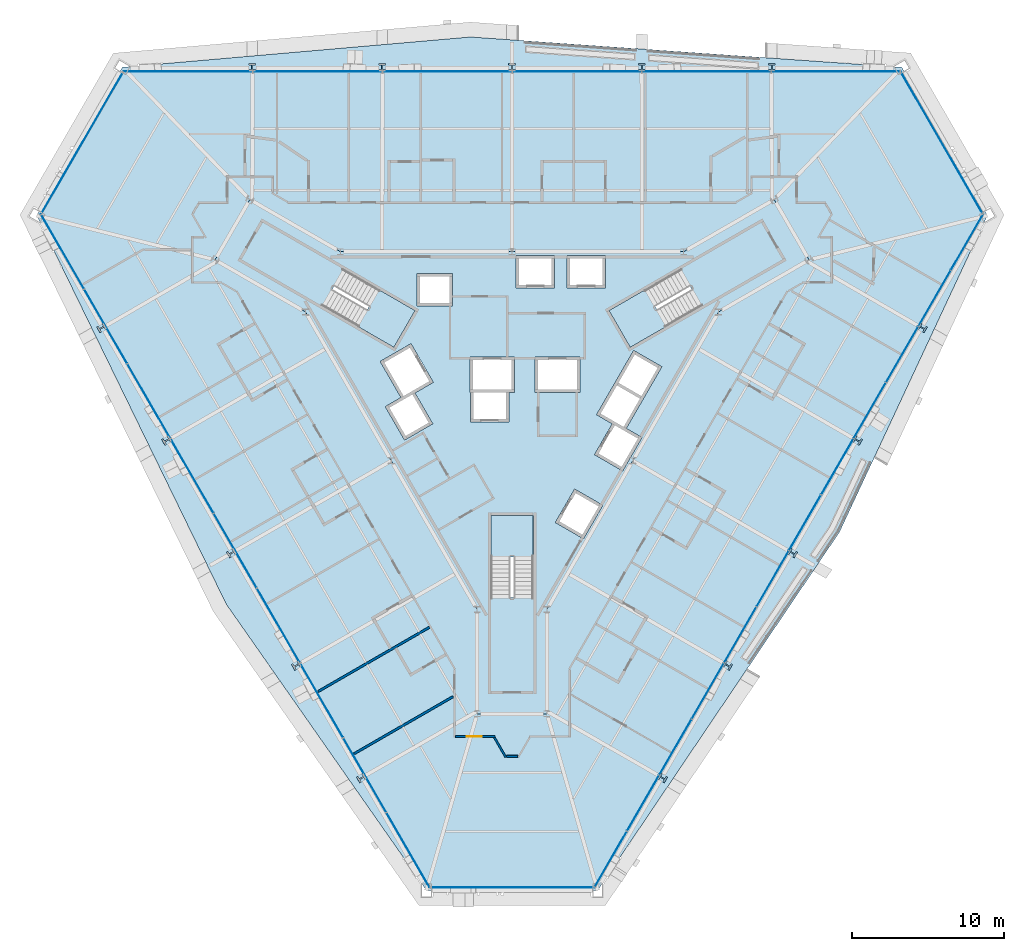
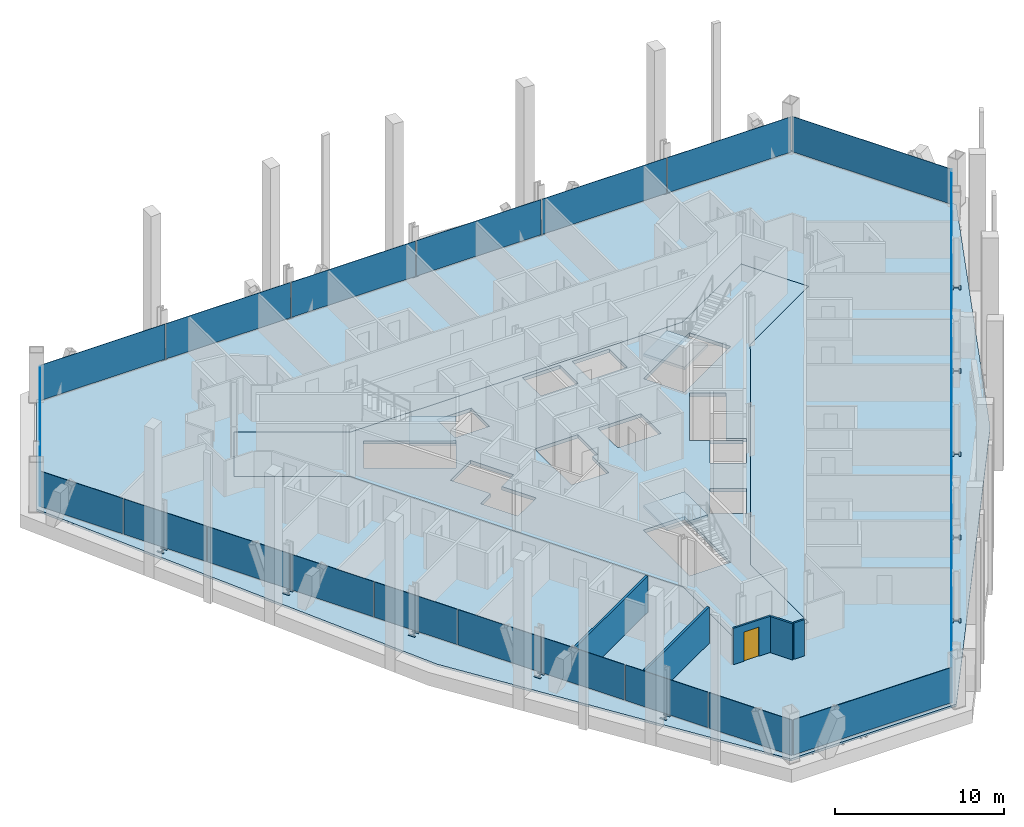
# One storey, part 12 of 21: 30 plates, 15 members, 5 slabs, 5 walls, 1 door, 1 opening, 9 elements without a shape of their own.
"""IFC4 building model written with IfcOpenShell, lengths in metres."""

from ifc_helpers import new_model, si_unit, direction, frame, frame_2d, origin, origin_2d, place, context, subcontext, project, spatial, polyline, rectangle, i_section, outline, extrude, material, layer, layer_set, material_profile, profile_set, type_object, element, fill, aggregate, save


model = new_model("IFC4")

# Units and contexts
model_context = context("Model", 3, precision=1e-05, world=origin(), true_north=direction((0.0, 1.0)))
body_context = subcontext(model_context, "Body", "Model", "MODEL_VIEW")
ifc_project = project(units=[si_unit("LENGTHUNIT", "METRE"), si_unit("AREAUNIT", "SQUARE_METRE"), si_unit("VOLUMEUNIT", "CUBIC_METRE"), si_unit("PLANEANGLEUNIT", "RADIAN"), si_unit("MASSUNIT", "GRAM", prefix="KILO")], contexts=[model_context])

# Site, building, storey
site_placement = place(None, origin())
site = spatial("IfcSite", under=ifc_project, at=site_placement, CompositionType="ELEMENT")
building_placement = place(site_placement, origin())
building = spatial("IfcBuilding", under=site, at=building_placement, Name="Verrane Prism Tower", CompositionType="ELEMENT")
storey_placement = place(building_placement, frame((0.0, 0.0, 65.60009765625)))
storey = spatial("IfcBuildingStorey", under=building, at=storey_placement, Name="L14", CompositionType="ELEMENT", Elevation=65.60009765625)

# Members
ifc_material_1 = material(Name="Steel A992", Category="steel")
ifc_material_profile = material_profile(ifc_material_1, i_section(OverallWidth=0.44189453125, OverallDepth=0.53076171875, WebThickness=0.06591796875, FlangeThickness=0.105712890625, FilletRadius=0.01513671875, at=origin_2d()), Name="W14x605")
ifc_profile_set = profile_set([ifc_material_profile], Name="Steel A992")
member_type = type_object("IfcMemberType", Name="Kink node W14x605", PredefinedType="COLLAR", material=ifc_profile_set)
for number, where, z_axis, x_axis, name in (
    (1, (17.149658203125, 21.368896484375, -0.025146484375), (0.0, 0.0, 1.0), (1.0, 0.0, 0.0), "Kink node PC2 L14"),
    (2, (8.56982421875, 21.368896484375, -0.025146484375), (0.0, 0.0, 1.0), (1.0, 0.0, 0.0), "Kink node PC2 L14"),
    (3, (0.0, 21.368896484375, -0.025146484375), (0.0, 0.0, 1.0), (1.0, 0.0, 0.0), "Kink node PC2 L14"),
    (4, (-8.56982421875, 21.368896484375, -0.025146484375), (0.0, 0.0, 1.0), (1.0, 0.0, 0.0), "Kink node PC2 L14"),
    (5, (-17.149658203125, 21.368896484375, -0.025146484375), (0.0, 0.0, 1.0), (1.0, 0.0, 0.0), "Kink node PC2 L14"),
    (6, (9.92919921875, -25.5390625, -0.025146484375), (0.0, 0.0, 1.0), (-0.5, -0.866025403784, 0.0), "Kink node PC2 L14"),
    (7, (14.21923828125, -18.109375, -0.025146484375), (0.0, 0.0, 1.0), (-0.5, -0.866025403784, 0.0), "Kink node PC2 L14"),
    (8, (18.509033203125, -10.689453125, -0.025146484375), (0.0, 0.0, 1.0), (-0.5, -0.866025403784, 0.0), "Kink node PC2 L14"),
    (9, (22.7890625, -3.259521484375, -0.025146484375), (0.0, 0.0, 1.0), (-0.5, -0.866025403784, 0.0), "Kink node PC2 L14"),
    (10, (27.078857421875, 4.170166015625, -0.025146484375), (0.0, 0.0, 1.0), (-0.5, -0.866025403784, 0.0), "Kink node PC2 L14"),
    (11, (-27.078857421875, 4.170166015625, -0.025146484375), (0.0, 0.0, 1.0), (-0.5, 0.866025403784, 0.0), "Kink node PC2 L14"),
    (12, (-22.7890625, -3.259521484375, -0.025146484375), (0.0, 0.0, 1.0), (-0.5, 0.866025403784, 0.0), "Kink node PC2 L14"),
    (13, (-18.509033203125, -10.689453125, -0.025146484375), (0.0, 0.0, 1.0), (-0.5, 0.866025403784, 0.0), "Kink node PC2 L14"),
    (14, (-14.21923828125, -18.109375, -0.025146484375), (0.0, 0.0, 1.0), (-0.5, 0.866025403784, 0.0), "Kink node PC2 L14"),
    (15, (-9.92919921875, -25.5390625, -0.025146484375), (0.0, 0.0, 1.0), (-0.5, 0.866025403784, 0.0), "Kink node PC2 L14"),
):
    element("IfcMember", number, at=place(storey_placement, frame(where, z_axis=z_axis, x_axis=x_axis)), inside=storey, type_object=member_type, Name=name, PredefinedType="COLLAR", context=body_context, shape_type="SweptSolid", body=[
        extrude(i_section(OverallWidth=0.44189453125, OverallDepth=0.53076171875, WebThickness=0.06591796875, FlangeThickness=0.105712890625, FilletRadius=0.01513671875, at=origin_2d()), origin(), (0.0, 0.0, 1.0), 0.050048828125),
    ])

# Slabs
ifc_material_2 = material(Name="Concrete C35/45", Category="concrete")
ifc_layer_1 = layer(ifc_material_2, 0.159912109375)
ifc_layer_set_1 = layer_set([ifc_layer_1], Name="Composite floor slab")
slab_type_1 = type_object("IfcSlabType", Name="Composite floor slab", PredefinedType="FLOOR", material=ifc_layer_set_1)
slab_1_placement = place(storey_placement, frame((0.0, 0.0, -0.16015625)))
element("IfcSlab", 16, at=slab_1_placement, inside=storey, type_object=slab_type_1, Name="Floor slab L14", PredefinedType="FLOOR", context=body_context, shape_type="SweptSolid", body=[
    extrude(outline(polyline([(21.61083984375, -9.308837890625), (5.64599609375, -32.960693359375), (-5.64599609375, -32.960693359375), (-18.8671875, -14.06103515625), (-31.367919921875, 11.5908203125), (-25.721923828125, 21.3701171875), (-2.74365234375, 23.3701171875), (25.721923828125, 21.3701171875), (31.367919921875, 11.5908203125), (21.61083984375, -9.308837890625)]), holes=[polyline([(19.60009765625, 8.659912109375), (17.300048828125, 12.639892578125), (11.330078125, 9.199951171875), (0.0, 9.199951171875), (-11.330078125, 9.199951171875), (-17.300048828125, 12.639892578125), (-19.60009765625, 8.659912109375), (-13.6298828125, 5.219970703125), (-7.969970703125, -4.60009765625), (-2.300048828125, -14.419921875), (-2.300048828125, -21.300048828125), (2.300048828125, -21.300048828125), (2.300048828125, -14.419921875), (7.969970703125, -4.60009765625), (13.6298828125, 5.219970703125), (19.60009765625, 8.659912109375)])]), origin(), (0.0, 0.0, 1.0), 0.16015625),
])
ifc_material_3 = material(Name="Concrete C40/50", Category="concrete")
ifc_layer_2 = layer(ifc_material_3, 0.25)
ifc_layer_set_2 = layer_set([ifc_layer_2], Name="Core floor slab 250 concrete C40/50")
slab_type_2 = type_object("IfcSlabType", Name="Core floor slab 250 concrete C40/50", PredefinedType="FLOOR", material=ifc_layer_set_2)
slab_2_placement = place(storey_placement, frame((0.0, 0.0, -0.25)))
element("IfcSlab", 17, at=slab_2_placement, inside=storey, type_object=slab_type_2, Name="Core floor L14", PredefinedType="FLOOR", context=body_context, shape_type="SweptSolid", body=[
    extrude(outline(polyline([(13.6298828125, 5.219970703125), (19.60009765625, 8.659912109375), (17.300048828125, 12.639892578125), (11.330078125, 9.199951171875), (0.0, 9.199951171875), (-11.330078125, 9.199951171875), (-17.300048828125, 12.639892578125), (-19.60009765625, 8.659912109375), (-13.6298828125, 5.219970703125), (-7.969970703125, -4.60009765625), (-2.300048828125, -14.419921875), (-2.300048828125, -21.300048828125), (2.300048828125, -21.300048828125), (2.300048828125, -14.419921875), (7.969970703125, -4.60009765625), (13.6298828125, 5.219970703125)]), holes=[polyline([(1.39990234375, -8.199951171875), (1.39990234375, -13.639892578125), (-1.39990234375, -13.639892578125), (-1.39990234375, -8.199951171875), (1.39990234375, -8.199951171875)]), polyline([(0.1650390625, 2.25), (0.1650390625, -0.10009765625), (-0.205078125, -0.10009765625), (-0.205078125, -2.050048828125), (-2.7548828125, -2.050048828125), (-2.7548828125, -0.10009765625), (-2.784912109375, -0.10009765625), (-2.784912109375, 2.25), (0.1650390625, 2.25)]), polyline([(-7.801025390625, 2.887939453125), (-12.512939453125, 5.60791015625), (-11.113037109375, 8.031982421875), (-6.40087890625, 5.31201171875), (-7.801025390625, 2.887939453125)]), polyline([(-6.284912109375, 5.610107421875), (-6.284912109375, 7.760009765625), (-3.93505859375, 7.760009765625), (-3.93505859375, 5.610107421875), (-6.284912109375, 5.610107421875)]), polyline([(2.81494140625, 6.81005859375), (0.264892578125, 6.81005859375), (0.264892578125, 8.9599609375), (2.81494140625, 8.9599609375), (2.81494140625, 6.81005859375)]), polyline([(4.717041015625, -9.75), (2.85498046875, -8.675048828125), (4.1298828125, -6.466064453125), (5.991943359375, -7.541015625), (4.717041015625, -9.75)]), polyline([(8.303955078125, -3.136962890625), (5.575927734375, -1.56201171875), (8.02587890625, 2.680908203125), (9.887939453125, 1.60595703125), (7.5380859375, -2.464111328125), (8.576904296875, -3.06396484375), (7.302001953125, -5.27197265625), (5.43994140625, -4.197021484375), (6.614990234375, -2.162109375), (8.303955078125, -3.136962890625)]), polyline([(1.52490234375, -0.10009765625), (1.52490234375, 2.25), (4.47509765625, 2.25), (4.47509765625, -0.10009765625), (1.52490234375, -0.10009765625)]), polyline([(11.113037109375, 8.031982421875), (12.512939453125, 5.60791015625), (7.801025390625, 2.887939453125), (6.40087890625, 5.31201171875), (11.113037109375, 8.031982421875)]), polyline([(3.625, 6.81005859375), (3.625, 8.9599609375), (6.175048828125, 8.9599609375), (6.175048828125, 6.81005859375), (3.625, 6.81005859375)]), polyline([(-5.23095703125, -2.159912109375), (-7.093017578125, -3.235107421875), (-8.367919921875, -1.02587890625), (-7.3291015625, -0.426025390625), (-8.7041015625, 1.955078125), (-6.66796875, 3.1298828125), (-5.193115234375, 0.574951171875), (-6.406005859375, -0.125), (-5.23095703125, -2.159912109375)])]), origin(), (0.0, 0.0, 1.0), 0.25),
])

# Curtain wall, plates
ifc_material_4 = material(Name="Aluminium framed insulated glazing", Category="aluminium")
curtain_wall_type_1 = type_object("IfcCurtainWallType", Name="Curtain wall CW-C 4200 module", PredefinedType="NOTDEFINED", material=ifc_material_4)
curtain_wall_1_placement = place(storey_placement, origin())
curtain_wall_1 = element("IfcCurtainWall", 18, at=curtain_wall_1_placement, inside=storey, type_object=curtain_wall_type_1, Name="Glazed curtain wall south-east face L14", PredefinedType="NOTDEFINED")
ifc_material_5 = material(Name="Low-iron insulating glass unit", Category="glass")
ifc_layer_3 = layer(ifc_material_5, 0.02392578125)
ifc_layer_set_3 = layer_set([ifc_layer_3], Name="Glazing panel IGU 24")
plate_type_1 = type_object("IfcPlateType", Name="Glazing panel IGU 24", PredefinedType="CURTAIN_PANEL", material=ifc_layer_set_3)
plate_1_placement = place(storey_placement, frame((6.515869140625, -30.896240234375, 0.0498046875), z_axis=(0.0, 0.0, 1.0), x_axis=(0.50000020895, 0.866025283147, 0.0)))
plate_1 = element("IfcPlate", 19, at=plate_1_placement, type_object=plate_type_1, Name="CW14.6 panel 1", PredefinedType="CURTAIN_PANEL", context=body_context, shape_type="SweptSolid", body=[
    extrude(rectangle(XDim=4.19970703125, YDim=0.02392578125, at=origin_2d()), origin(), (0.0, 0.0, 1.0), 2.56298828125),
])
plate_2_placement = place(storey_placement, frame((8.64697265625, -27.204833984375, 0.0498046875), z_axis=(0.0, 0.0, 1.0), x_axis=(0.50000020895, 0.866025283147, 0.0)))
plate_2 = element("IfcPlate", 20, at=plate_2_placement, type_object=plate_type_1, Name="CW14.6 panel 2", PredefinedType="CURTAIN_PANEL", context=body_context, shape_type="SweptSolid", body=[
    extrude(rectangle(XDim=4.224853515625, YDim=0.02392578125, at=origin_2d()), origin(), (0.0, 0.0, 1.0), 2.56298828125),
])
plate_3_placement = place(storey_placement, frame((10.784423828125, -23.502685546875, 0.0498046875), z_axis=(0.0, 0.0, 1.0), x_axis=(0.50000020895, 0.866025283147, 0.0)))
plate_3 = element("IfcPlate", 21, at=plate_3_placement, type_object=plate_type_1, Name="CW14.6 panel 3", PredefinedType="CURTAIN_PANEL", context=body_context, shape_type="SweptSolid", body=[
    extrude(rectangle(XDim=4.224853515625, YDim=0.02392578125, at=origin_2d()), origin(), (0.0, 0.0, 1.0), 2.56298828125),
])
plate_4_placement = place(storey_placement, frame((12.921875, -19.80078125, 0.0498046875), z_axis=(0.0, 0.0, 1.0), x_axis=(0.50000020895, 0.866025283147, 0.0)))
plate_4 = element("IfcPlate", 22, at=plate_4_placement, type_object=plate_type_1, Name="CW14.6 panel 4", PredefinedType="CURTAIN_PANEL", context=body_context, shape_type="SweptSolid", body=[
    extrude(rectangle(XDim=4.224853515625, YDim=0.02392578125, at=origin_2d()), origin(), (0.0, 0.0, 1.0), 2.56298828125),
])
plate_5_placement = place(storey_placement, frame((15.05908203125, -16.0986328125, 0.0498046875), z_axis=(0.0, 0.0, 1.0), x_axis=(0.50000020895, 0.866025283147, 0.0)))
plate_5 = element("IfcPlate", 23, at=plate_5_placement, type_object=plate_type_1, Name="CW14.6 panel 5", PredefinedType="CURTAIN_PANEL", context=body_context, shape_type="SweptSolid", body=[
    extrude(rectangle(XDim=4.224853515625, YDim=0.02392578125, at=origin_2d()), origin(), (0.0, 0.0, 1.0), 2.56298828125),
])
plate_6_placement = place(storey_placement, frame((17.196533203125, -12.396484375, 0.0498046875), z_axis=(0.0, 0.0, 1.0), x_axis=(0.50000020895, 0.866025283147, 0.0)))
plate_6 = element("IfcPlate", 24, at=plate_6_placement, type_object=plate_type_1, Name="CW14.6 panel 6", PredefinedType="CURTAIN_PANEL", context=body_context, shape_type="SweptSolid", body=[
    extrude(rectangle(XDim=4.224853515625, YDim=0.02392578125, at=origin_2d()), origin(), (0.0, 0.0, 1.0), 2.56298828125),
])
plate_7_placement = place(storey_placement, frame((19.333984375, -8.694580078125, 0.0498046875), z_axis=(0.0, 0.0, 1.0), x_axis=(0.50000020895, 0.866025283147, 0.0)))
plate_7 = element("IfcPlate", 25, at=plate_7_placement, type_object=plate_type_1, Name="CW14.6 panel 7", PredefinedType="CURTAIN_PANEL", context=body_context, shape_type="SweptSolid", body=[
    extrude(rectangle(XDim=4.224853515625, YDim=0.02392578125, at=origin_2d()), origin(), (0.0, 0.0, 1.0), 2.56298828125),
])
plate_8_placement = place(storey_placement, frame((21.471435546875, -4.992431640625, 0.0498046875), z_axis=(0.0, 0.0, 1.0), x_axis=(0.50000020895, 0.866025283147, 0.0)))
plate_8 = element("IfcPlate", 26, at=plate_8_placement, type_object=plate_type_1, Name="CW14.6 panel 8", PredefinedType="CURTAIN_PANEL", context=body_context, shape_type="SweptSolid", body=[
    extrude(rectangle(XDim=4.224853515625, YDim=0.02392578125, at=origin_2d()), origin(), (0.0, 0.0, 1.0), 2.56298828125),
])
plate_9_placement = place(storey_placement, frame((23.60888671875, -1.290283203125, 0.0498046875), z_axis=(0.0, 0.0, 1.0), x_axis=(0.50000020895, 0.866025283147, 0.0)))
plate_9 = element("IfcPlate", 27, at=plate_9_placement, type_object=plate_type_1, Name="CW14.6 panel 9", PredefinedType="CURTAIN_PANEL", context=body_context, shape_type="SweptSolid", body=[
    extrude(rectangle(XDim=4.224853515625, YDim=0.02392578125, at=origin_2d()), origin(), (0.0, 0.0, 1.0), 2.56298828125),
])
plate_10_placement = place(storey_placement, frame((25.74609375, 2.411865234375, 0.0498046875), z_axis=(0.0, 0.0, 1.0), x_axis=(0.50000020895, 0.866025283147, 0.0)))
plate_10 = element("IfcPlate", 28, at=plate_10_placement, type_object=plate_type_1, Name="CW14.6 panel 10", PredefinedType="CURTAIN_PANEL", context=body_context, shape_type="SweptSolid", body=[
    extrude(rectangle(XDim=4.224853515625, YDim=0.02392578125, at=origin_2d()), origin(), (0.0, 0.0, 1.0), 2.56298828125),
])
plate_11_placement = place(storey_placement, frame((27.883544921875, 6.11376953125, 0.0498046875), z_axis=(0.0, 0.0, 1.0), x_axis=(0.50000020895, 0.866025283147, 0.0)))
plate_11 = element("IfcPlate", 29, at=plate_11_placement, type_object=plate_type_1, Name="CW14.6 panel 11", PredefinedType="CURTAIN_PANEL", context=body_context, shape_type="SweptSolid", body=[
    extrude(rectangle(XDim=4.224853515625, YDim=0.02392578125, at=origin_2d()), origin(), (0.0, 0.0, 1.0), 2.56298828125),
])
plate_12_placement = place(storey_placement, frame((30.02734375, 9.826904296875, 0.0498046875), z_axis=(0.0, 0.0, 1.0), x_axis=(0.50000020895, 0.866025283147, 0.0)))
plate_12 = element("IfcPlate", 30, at=plate_12_placement, type_object=plate_type_1, Name="CW14.6 panel 12", PredefinedType="CURTAIN_PANEL", context=body_context, shape_type="SweptSolid", body=[
    extrude(rectangle(XDim=4.249755859375, YDim=0.02392578125, at=origin_2d()), origin(), (0.0, 0.0, 1.0), 2.56298828125),
])
aggregate(curtain_wall_1, [plate_1, plate_2, plate_3, plate_4, plate_5, plate_6, plate_7, plate_8, plate_9, plate_10, plate_11, plate_12])

ifc_material_6 = material(Name="Aluminium framed insulated glazing", Category="aluminium")
curtain_wall_type_2 = type_object("IfcCurtainWallType", Name="Curtain wall CW-B 5600 module", PredefinedType="NOTDEFINED", material=ifc_material_6)
curtain_wall_2_placement = place(storey_placement, origin())
curtain_wall_2 = element("IfcCurtainWall", 31, at=curtain_wall_2_placement, inside=storey, type_object=curtain_wall_type_2, Name="Glazed curtain wall south-west face L14", PredefinedType="NOTDEFINED")
ifc_material_7 = material(Name="Low-iron insulating glass unit", Category="glass")
ifc_layer_4 = layer(ifc_material_7, 0.028076171875)
ifc_layer_set_4 = layer_set([ifc_layer_4], Name="Glazing panel IGU 28")
plate_type_2 = type_object("IfcPlateType", Name="Glazing panel IGU 28", PredefinedType="CURTAIN_PANEL", material=ifc_layer_set_4)
plate_13_placement = place(storey_placement, frame((-29.6572265625, 9.18603515625, 0.06005859375), z_axis=(0.0, 0.0, 1.0), x_axis=(0.50000020895, -0.866025283147, 0.0)))
plate_13 = element("IfcPlate", 32, at=plate_13_placement, type_object=plate_type_2, Name="CW14.4 panel 1", PredefinedType="CURTAIN_PANEL", context=body_context, shape_type="SweptSolid", body=[
    extrude(rectangle(XDim=5.609619140625, YDim=0.028076171875, at=origin_2d()), origin(), (0.0, 0.0, 1.0), 2.552978515625),
])
plate_14_placement = place(storey_placement, frame((-26.81494140625, 4.262939453125, 0.06005859375), z_axis=(0.0, 0.0, 1.0), x_axis=(0.50000020895, -0.866025283147, 0.0)))
plate_14 = element("IfcPlate", 33, at=plate_14_placement, type_object=plate_type_2, Name="CW14.4 panel 2", PredefinedType="CURTAIN_PANEL", context=body_context, shape_type="SweptSolid", body=[
    extrude(rectangle(XDim=5.6396484375, YDim=0.028076171875, at=origin_2d()), origin(), (0.0, 0.0, 1.0), 2.552978515625),
])
plate_15_placement = place(storey_placement, frame((-23.965087890625, -0.67333984375, 0.06005859375), z_axis=(0.0, 0.0, 1.0), x_axis=(0.50000020895, -0.866025283147, 0.0)))
plate_15 = element("IfcPlate", 34, at=plate_15_placement, type_object=plate_type_2, Name="CW14.4 panel 3", PredefinedType="CURTAIN_PANEL", context=body_context, shape_type="SweptSolid", body=[
    extrude(rectangle(XDim=5.6396484375, YDim=0.028076171875, at=origin_2d()), origin(), (0.0, 0.0, 1.0), 2.552978515625),
])
plate_16_placement = place(storey_placement, frame((-21.115234375, -5.609375, 0.06005859375), z_axis=(0.0, 0.0, 1.0), x_axis=(0.50000020895, -0.866025283147, 0.0)))
plate_16 = element("IfcPlate", 35, at=plate_16_placement, type_object=plate_type_2, Name="CW14.4 panel 4", PredefinedType="CURTAIN_PANEL", context=body_context, shape_type="SweptSolid", body=[
    extrude(rectangle(XDim=5.6396484375, YDim=0.028076171875, at=origin_2d()), origin(), (0.0, 0.0, 1.0), 2.552978515625),
])
plate_17_placement = place(storey_placement, frame((-18.265380859375, -10.54541015625, 0.06005859375), z_axis=(0.0, 0.0, 1.0), x_axis=(0.50000020895, -0.866025283147, 0.0)))
plate_17 = element("IfcPlate", 36, at=plate_17_placement, type_object=plate_type_2, Name="CW14.4 panel 5", PredefinedType="CURTAIN_PANEL", context=body_context, shape_type="SweptSolid", body=[
    extrude(rectangle(XDim=5.6396484375, YDim=0.028076171875, at=origin_2d()), origin(), (0.0, 0.0, 1.0), 2.552978515625),
])
plate_18_placement = place(storey_placement, frame((-15.41552734375, -15.481689453125, 0.06005859375), z_axis=(0.0, 0.0, 1.0), x_axis=(0.50000020895, -0.866025283147, 0.0)))
plate_18 = element("IfcPlate", 37, at=plate_18_placement, type_object=plate_type_2, Name="CW14.4 panel 6", PredefinedType="CURTAIN_PANEL", context=body_context, shape_type="SweptSolid", body=[
    extrude(rectangle(XDim=5.6396484375, YDim=0.028076171875, at=origin_2d()), origin(), (0.0, 0.0, 1.0), 2.552978515625),
])
plate_19_placement = place(storey_placement, frame((-12.565673828125, -20.417724609375, 0.06005859375), z_axis=(0.0, 0.0, 1.0), x_axis=(0.50000020895, -0.866025283147, 0.0)))
plate_19 = element("IfcPlate", 38, at=plate_19_placement, type_object=plate_type_2, Name="CW14.4 panel 7", PredefinedType="CURTAIN_PANEL", context=body_context, shape_type="SweptSolid", body=[
    extrude(rectangle(XDim=5.6396484375, YDim=0.028076171875, at=origin_2d()), origin(), (0.0, 0.0, 1.0), 2.552978515625),
])
plate_20_placement = place(storey_placement, frame((-9.7158203125, -25.353759765625, 0.06005859375), z_axis=(0.0, 0.0, 1.0), x_axis=(0.50000020895, -0.866025283147, 0.0)))
plate_20 = element("IfcPlate", 39, at=plate_20_placement, type_object=plate_type_2, Name="CW14.4 panel 8", PredefinedType="CURTAIN_PANEL", context=body_context, shape_type="SweptSolid", body=[
    extrude(rectangle(XDim=5.6396484375, YDim=0.028076171875, at=origin_2d()), origin(), (0.0, 0.0, 1.0), 2.552978515625),
])
plate_21_placement = place(storey_placement, frame((-6.8583984375, -30.302978515625, 0.06005859375), z_axis=(0.0, 0.0, 1.0), x_axis=(0.50000020895, -0.866025283147, 0.0)))
plate_21 = element("IfcPlate", 40, at=plate_21_placement, type_object=plate_type_2, Name="CW14.4 panel 9", PredefinedType="CURTAIN_PANEL", context=body_context, shape_type="SweptSolid", body=[
    extrude(rectangle(XDim=5.669677734375, YDim=0.028076171875, at=origin_2d()), origin(), (0.0, 0.0, 1.0), 2.552978515625),
])
aggregate(curtain_wall_2, [plate_13, plate_14, plate_15, plate_16, plate_17, plate_18, plate_19, plate_20, plate_21])

# Curtain wall, plate
ifc_material_8 = material(Name="Aluminium framed insulated glazing", Category="aluminium")
curtain_wall_type_3 = type_object("IfcCurtainWallType", Name="Curtain wall CW-A 8400 module", PredefinedType="NOTDEFINED", material=ifc_material_8)
curtain_wall_3_placement = place(storey_placement, origin())
curtain_wall_3 = element("IfcCurtainWall", 41, at=curtain_wall_3_placement, inside=storey, type_object=curtain_wall_type_3, Name="Glazed curtain wall north-east corner L14", PredefinedType="NOTDEFINED")
ifc_material_9 = material(Name="Low-iron insulating glass unit", Category="glass")
ifc_layer_5 = layer(ifc_material_9, 0.031982421875)
ifc_layer_set_5 = layer_set([ifc_layer_5], Name="Glazing panel IGU 32")
plate_type_3 = type_object("IfcPlateType", Name="Glazing panel IGU 32", PredefinedType="CURTAIN_PANEL", material=ifc_layer_set_5)
plate_22_placement = place(storey_placement, frame((28.351806640625, 16.409423828125, 0.06982421875), z_axis=(0.0, 0.0, 1.0), x_axis=(-0.499996627176, 0.866027351077, 0.0)))
plate_22 = element("IfcPlate", 42, at=plate_22_placement, type_object=plate_type_3, Name="CW14.1 panel 1", PredefinedType="CURTAIN_PANEL", context=body_context, shape_type="SweptSolid", body=[
    extrude(rectangle(XDim=10.811767578125, YDim=0.031982421875, at=origin_2d()), origin(), (0.0, 0.0, 1.0), 2.54296875),
])
aggregate(curtain_wall_3, [plate_22])

# Curtain wall, plates
curtain_wall_4_placement = place(storey_placement, origin())
curtain_wall_4 = element("IfcCurtainWall", 43, at=curtain_wall_4_placement, inside=storey, type_object=curtain_wall_type_3, Name="Glazed curtain wall north face L14", PredefinedType="NOTDEFINED")
plate_23_placement = place(storey_placement, frame((21.3564453125, 21.091064453125, 0.06982421875), z_axis=(0.0, 0.0, 1.0), x_axis=(-1.0, 0.0, 0.0)))
plate_23 = element("IfcPlate", 44, at=plate_23_placement, type_object=plate_type_3, Name="CW14.2 panel 1", PredefinedType="CURTAIN_PANEL", context=body_context, shape_type="SweptSolid", body=[
    extrude(rectangle(XDim=8.444580078125, YDim=0.031982421875, at=origin_2d()), origin(), (0.0, 0.0, 1.0), 2.54296875),
])
plate_24_placement = place(storey_placement, frame((12.824462890625, 21.091064453125, 0.06982421875), z_axis=(0.0, 0.0, 1.0), x_axis=(-1.0, 0.0, 0.0)))
plate_24 = element("IfcPlate", 45, at=plate_24_placement, type_object=plate_type_3, Name="CW14.2 panel 2", PredefinedType="CURTAIN_PANEL", context=body_context, shape_type="SweptSolid", body=[
    extrude(rectangle(XDim=8.4794921875, YDim=0.031982421875, at=origin_2d()), origin(), (0.0, 0.0, 1.0), 2.54296875),
])
plate_25_placement = place(storey_placement, frame((4.27490234375, 21.091064453125, 0.06982421875), z_axis=(0.0, 0.0, 1.0), x_axis=(-1.0, 0.0, 0.0)))
plate_25 = element("IfcPlate", 46, at=plate_25_placement, type_object=plate_type_3, Name="CW14.2 panel 3", PredefinedType="CURTAIN_PANEL", context=body_context, shape_type="SweptSolid", body=[
    extrude(rectangle(XDim=8.4794921875, YDim=0.031982421875, at=origin_2d()), origin(), (0.0, 0.0, 1.0), 2.54296875),
])
plate_26_placement = place(storey_placement, frame((-4.27490234375, 21.091064453125, 0.06982421875), z_axis=(0.0, 0.0, 1.0), x_axis=(-1.0, 0.0, 0.0)))
plate_26 = element("IfcPlate", 47, at=plate_26_placement, type_object=plate_type_3, Name="CW14.2 panel 4", PredefinedType="CURTAIN_PANEL", context=body_context, shape_type="SweptSolid", body=[
    extrude(rectangle(XDim=8.4794921875, YDim=0.031982421875, at=origin_2d()), origin(), (0.0, 0.0, 1.0), 2.54296875),
])
plate_27_placement = place(storey_placement, frame((-12.824462890625, 21.091064453125, 0.06982421875), z_axis=(0.0, 0.0, 1.0), x_axis=(-1.0, 0.0, 0.0)))
plate_27 = element("IfcPlate", 48, at=plate_27_placement, type_object=plate_type_3, Name="CW14.2 panel 5", PredefinedType="CURTAIN_PANEL", context=body_context, shape_type="SweptSolid", body=[
    extrude(rectangle(XDim=8.4794921875, YDim=0.031982421875, at=origin_2d()), origin(), (0.0, 0.0, 1.0), 2.54296875),
])
plate_28_placement = place(storey_placement, frame((-21.3916015625, 21.091064453125, 0.06982421875), z_axis=(0.0, 0.0, 1.0), x_axis=(-1.0, 0.0, 0.0)))
plate_28 = element("IfcPlate", 49, at=plate_28_placement, type_object=plate_type_3, Name="CW14.2 panel 6", PredefinedType="CURTAIN_PANEL", context=body_context, shape_type="SweptSolid", body=[
    extrude(rectangle(XDim=8.5146484375, YDim=0.031982421875, at=origin_2d()), origin(), (0.0, 0.0, 1.0), 2.54296875),
])
aggregate(curtain_wall_4, [plate_23, plate_24, plate_25, plate_26, plate_27, plate_28])

# Curtain wall, plate
curtain_wall_5_placement = place(storey_placement, origin())
curtain_wall_5 = element("IfcCurtainWall", 50, at=curtain_wall_5_placement, inside=storey, type_object=curtain_wall_type_3, Name="Glazed curtain wall north-west corner L14", PredefinedType="NOTDEFINED")
plate_29_placement = place(storey_placement, frame((-28.38671875, 16.3486328125, 0.06982421875), z_axis=(0.0, 0.0, 1.0), x_axis=(-0.499996627176, -0.866027351077, 0.0)))
plate_29 = element("IfcPlate", 51, at=plate_29_placement, type_object=plate_type_3, Name="CW14.3 panel 1", PredefinedType="CURTAIN_PANEL", context=body_context, shape_type="SweptSolid", body=[
    extrude(rectangle(XDim=10.811767578125, YDim=0.031982421875, at=origin_2d()), origin(), (0.0, 0.0, 1.0), 2.54296875),
])
aggregate(curtain_wall_5, [plate_29])

curtain_wall_6_placement = place(storey_placement, origin())
curtain_wall_6 = element("IfcCurtainWall", 52, at=curtain_wall_6_placement, inside=storey, type_object=curtain_wall_type_3, Name="Glazed curtain wall south corner L14", PredefinedType="NOTDEFINED")
plate_30_placement = place(storey_placement, frame((0.034912109375, -32.758056640625, 0.06982421875), z_axis=(0.0, 0.0, 1.0), x_axis=(1.0, 0.0, 0.0)))
plate_30 = element("IfcPlate", 53, at=plate_30_placement, type_object=plate_type_3, Name="CW14.5 panel 1", PredefinedType="CURTAIN_PANEL", context=body_context, shape_type="SweptSolid", body=[
    extrude(rectangle(XDim=10.811767578125, YDim=0.031982421875, at=origin_2d()), origin(), (0.0, 0.0, 1.0), 2.54296875),
])
aggregate(curtain_wall_6, [plate_30])

# Stair, slab
ifc_material_10 = material(Name="Concrete C40/50", Category="concrete")
stair_type = type_object("IfcStairType", Name="Exit stair 1300 dog-leg precast concrete C40/50", PredefinedType="HALF_TURN_STAIR", material=ifc_material_10)
stair_1_placement = place(storey_placement, origin())
stair_1 = element("IfcStair", 54, at=stair_1_placement, inside=storey, type_object=stair_type, Name="Stair 1 L14", PredefinedType="HALF_TURN_STAIR")
ifc_material_11 = material(Name="Concrete C40/50", Category="concrete")
ifc_layer_6 = layer(ifc_material_11, 0.199951171875)
ifc_layer_set_6 = layer_set([ifc_layer_6], Name="Stair landing 200 precast concrete C40/50")
slab_type_3 = type_object("IfcSlabType", Name="Stair landing 200 precast concrete C40/50", PredefinedType="LANDING", material=ifc_layer_set_6)
slab_3_placement = place(storey_placement, frame((0.0, 0.0, 1.599853515625)))
slab_3 = element("IfcSlab", 55, at=slab_3_placement, type_object=slab_type_3, Name="Stair 1 landing 1", PredefinedType="LANDING", context=body_context, shape_type="SweptSolid", body=[
    extrude(outline(polyline([(8.791748046875, 6.6923828125), (6.4013671875, 5.3125), (7.801513671875, 2.887451171875), (10.191650390625, 4.267578125), (8.791748046875, 6.6923828125)])), origin(), (0.0, 0.0, 1.0), 0.199951171875),
])
aggregate(stair_1, [slab_3])

stair_2_placement = place(storey_placement, origin())
stair_2 = element("IfcStair", 56, at=stair_2_placement, inside=storey, type_object=stair_type, Name="Stair 2 L14", PredefinedType="HALF_TURN_STAIR")
slab_4_placement = place(storey_placement, frame((0.0, 0.0, 1.599853515625)))
slab_4 = element("IfcSlab", 57, at=slab_4_placement, type_object=slab_type_3, Name="Stair 2 landing 1", PredefinedType="LANDING", context=body_context, shape_type="SweptSolid", body=[
    extrude(outline(polyline([(-10.191650390625, 4.267578125), (-7.801513671875, 2.887451171875), (-6.4013671875, 5.3125), (-8.791748046875, 6.6923828125), (-10.191650390625, 4.267578125)])), origin(), (0.0, 0.0, 1.0), 0.199951171875),
])
aggregate(stair_2, [slab_4])

stair_3_placement = place(storey_placement, origin())
stair_3 = element("IfcStair", 58, at=stair_3_placement, inside=storey, type_object=stair_type, Name="Stair 3 L14", PredefinedType="HALF_TURN_STAIR")
slab_5_placement = place(storey_placement, frame((0.0, 0.0, 1.599853515625)))
slab_5 = element("IfcSlab", 59, at=slab_5_placement, type_object=slab_type_3, Name="Stair 3 landing 1", PredefinedType="LANDING", context=body_context, shape_type="SweptSolid", body=[
    extrude(outline(polyline([(1.39990234375, -10.9599609375), (1.39990234375, -8.199951171875), (-1.39990234375, -8.199951171875), (-1.39990234375, -10.9599609375), (1.39990234375, -10.9599609375)])), origin(), (0.0, 0.0, 1.0), 0.199951171875),
])
aggregate(stair_3, [slab_5])

# Wall, opening, door
ifc_material_12 = material(Name="Gypsum board partition", Category="other")
ifc_layer_7 = layer(ifc_material_12, 0.125)
ifc_layer_set_7 = layer_set([ifc_layer_7], Name="PW-125 corridor wall 1 h")
wall_type_1 = type_object("IfcWallType", Name="PW-125 corridor wall 1 h", PredefinedType="PARTITIONING", material=ifc_layer_set_7)
wall_1_placement = place(storey_placement, frame((-1.140380859375, -22.797119140625, 0.0), z_axis=(0.0, 0.0, 1.0), x_axis=(-1.0, 0.0, 0.0)))
wall_1 = element("IfcWall", 60, at=wall_1_placement, inside=storey, type_object=wall_type_1, Name="Corridor wall 046", PredefinedType="PARTITIONING", context=body_context, shape_type="SweptSolid", body=[
    extrude(rectangle(XDim=2.591552734375, YDim=0.125, at=frame_2d((1.2958984375, 0.0))), origin(), (0.0, 0.0, 1.0), 2.61279296875),
])
opening_placement = place(wall_1_placement, frame((0.8564453125, 0.0, 0.0)))
opening = element("IfcOpeningElement", 61, at=opening_placement, cuts=wall_1, Name="Opening D14001", PredefinedType="OPENING", context=body_context, shape_type="SweptSolid", body=[
    extrude(rectangle(XDim=1.0, YDim=2.10009765625, at=frame_2d((0.5, 1.050048828125))), frame((0.0, 0.072509765625, 0.0), z_axis=(0.0, -1.0, 0.0), x_axis=(1.0, 0.0, 0.0)), (0.0, 0.0, 1.0), 0.14501953125),
])
ifc_material_13 = material(Name="Timber veneered door leaf", Category="wood")
door_type = type_object("IfcDoorType", Name="DR-1000x2100 FD20 single leaf unit", OperationType="NOTDEFINED", PredefinedType="DOOR", material=ifc_material_13)
door_placement = place(opening_placement, origin())
door = element("IfcDoor", 62, at=door_placement, inside=storey, type_object=door_type, Name="Suite Living Room door", OperationType="SINGLE_SWING_RIGHT", OverallHeight=2.10009765625, OverallWidth=1.0, PredefinedType="DOOR", context=body_context, shape_type="SweptSolid", body=[
    extrude(rectangle(XDim=1.0, YDim=2.10009765625, at=frame_2d((0.5, 1.050048828125))), frame((0.0, 0.02490234375, 0.0), z_axis=(0.0, -1.0, 0.0), x_axis=(1.0, 0.0, 0.0)), (0.0, 0.0, 1.0), 0.050048828125),
])
fill(opening, door)

# Walls
wall_2_placement = place(storey_placement, frame((-1.16064453125, -22.87060546875, 0.0), z_axis=(0.0, 0.0, 1.0), x_axis=(0.499609040113, -0.866251006947, 0.0)))
element("IfcWall", 63, at=wall_2_placement, inside=storey, type_object=wall_type_1, Name="Corridor wall 047", PredefinedType="PARTITIONING", context=body_context, shape_type="SweptSolid", body=[
    extrude(rectangle(XDim=1.490966796875, YDim=0.125, at=frame_2d((0.74560546875, 0.0))), origin(), (0.0, 0.0, 1.0), 2.61279296875),
])
wall_3_placement = place(storey_placement, frame((-0.362060546875, -24.10791015625, 0.0), z_axis=(0.0, 0.0, 1.0), x_axis=(1.0, 0.0, 0.0)))
element("IfcWall", 64, at=wall_3_placement, inside=storey, type_object=wall_type_1, Name="Corridor wall 049", PredefinedType="PARTITIONING", context=body_context, shape_type="SweptSolid", body=[
    extrude(rectangle(XDim=0.72412109375, YDim=0.125, at=frame_2d((0.362060546875, 0.0))), origin(), (0.0, 0.0, 1.0), 2.61279296875),
])
ifc_material_14 = material(Name="Gypsum board partition", Category="other")
ifc_layer_8 = layer(ifc_material_14, 0.14990234375)
ifc_layer_set_8 = layer_set([ifc_layer_8], Name="PW-150 demising wall 1 h")
wall_type_2 = type_object("IfcWallType", Name="PW-150 demising wall 1 h", PredefinedType="PARTITIONING", material=ifc_layer_set_8)
wall_4_placement = place(storey_placement, frame((-12.794189453125, -19.8291015625, 0.0), z_axis=(0.0, 0.0, 1.0), x_axis=(0.866024716685, 0.500001190089, 0.0)))
element("IfcWall", 65, at=wall_4_placement, inside=storey, type_object=wall_type_2, Name="Demising wall 032", PredefinedType="PARTITIONING", context=body_context, shape_type="SweptSolid", body=[
    extrude(rectangle(XDim=8.49169921875, YDim=0.14990234375, at=frame_2d((4.245849609375, 0.0))), origin(), (0.0, 0.0, 1.0), 2.61279296875),
])
wall_5_placement = place(storey_placement, frame((-10.422607421875, -23.93701171875, 0.0), z_axis=(0.0, 0.0, 1.0), x_axis=(0.866039368072, 0.499975812365, 0.0)))
element("IfcWall", 66, at=wall_5_placement, inside=storey, type_object=wall_type_2, Name="Demising wall 035", PredefinedType="PARTITIONING", context=body_context, shape_type="SweptSolid", body=[
    extrude(rectangle(XDim=7.534912109375, YDim=0.14990234375, at=frame_2d((3.767578125, 0.0))), origin(), (0.0, 0.0, 1.0), 2.61279296875),
])

save(model, "model.ifc")
